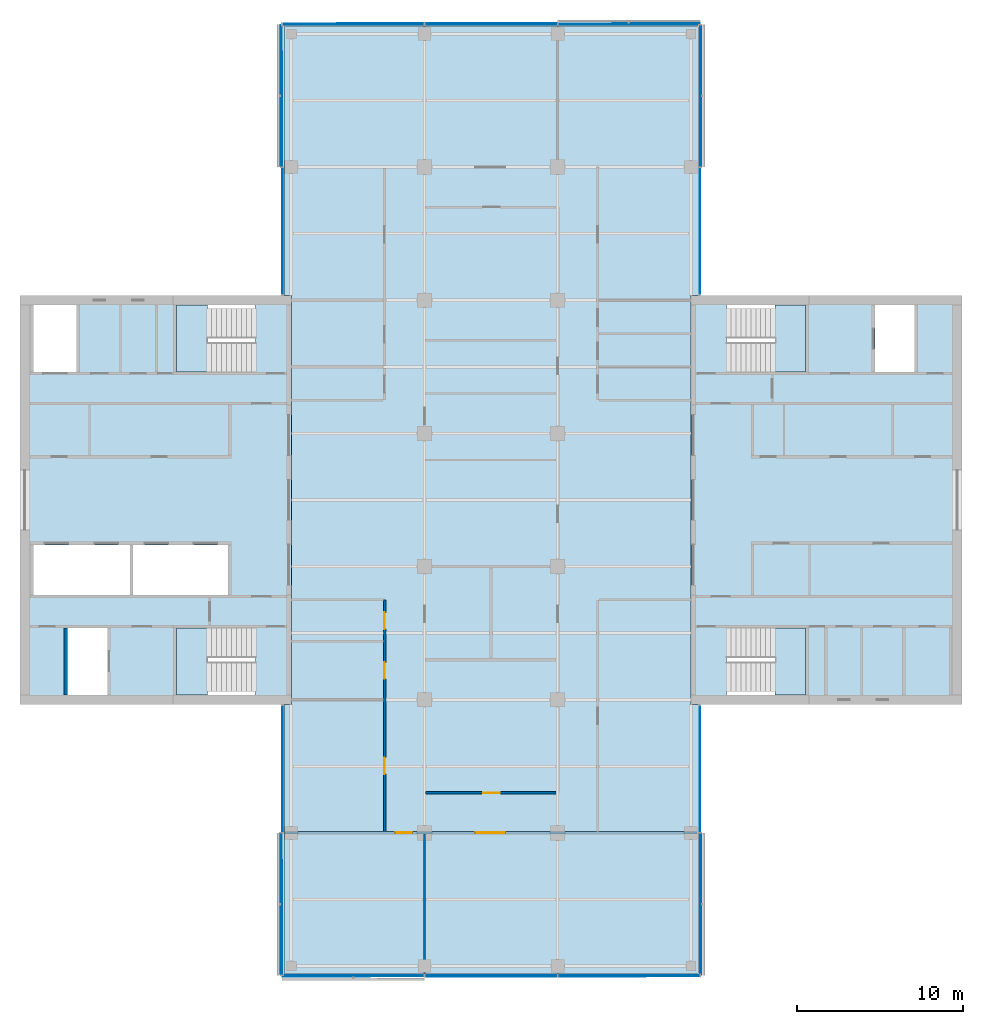
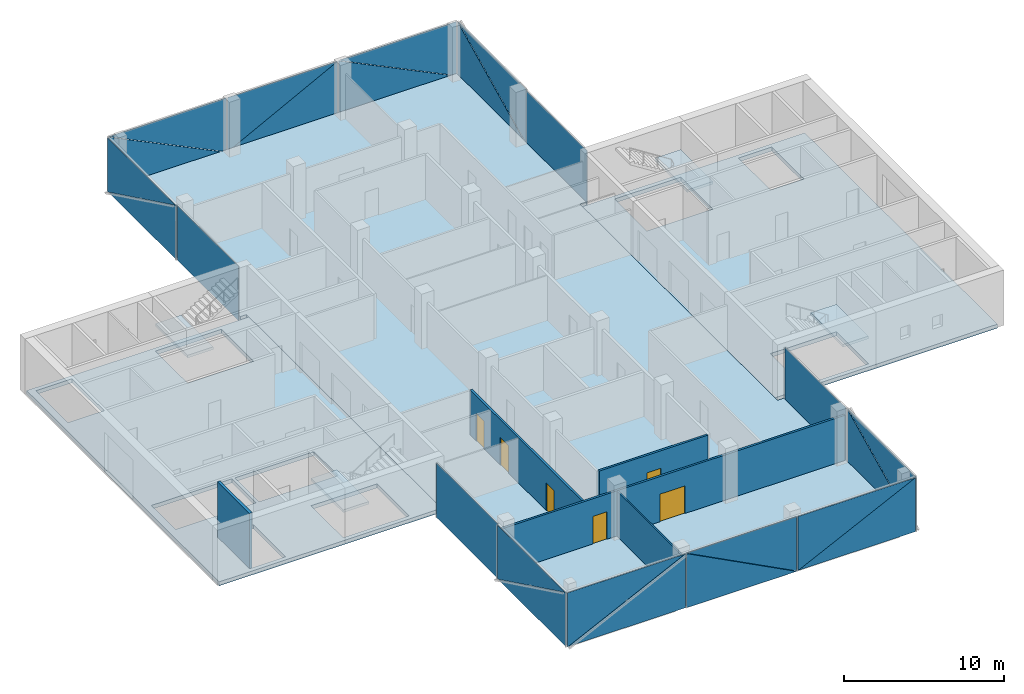
# One storey, part 8 of 15: 24 plates, 7 slabs, 6 doors, 5 walls, 6 openings, 14 elements without a shape of their own.
"""IFC4 building model written with IfcOpenShell, lengths in metres."""

from ifc_helpers import new_model, si_unit, direction, frame, frame_2d, origin, place, context, subcontext, project, spatial, polyline, rectangle, outline, extrude, material, layer, layer_set, type_object, element, fill, aggregate, save


model = new_model("IFC4")

# Units and contexts
model_context = context("Model", 3, precision=1e-05, world=origin(), true_north=direction((0.0, 1.0)))
body_context = subcontext(model_context, "Body", "Model", "MODEL_VIEW")
ifc_project = project(units=[si_unit("LENGTHUNIT", "METRE"), si_unit("AREAUNIT", "SQUARE_METRE"), si_unit("VOLUMEUNIT", "CUBIC_METRE"), si_unit("PLANEANGLEUNIT", "RADIAN"), si_unit("MASSUNIT", "GRAM", prefix="KILO")], contexts=[model_context])

# Site, building, storey
site_placement = place(None, origin())
site = spatial("IfcSite", under=ifc_project, at=site_placement, CompositionType="ELEMENT")
building_placement = place(site_placement, origin())
building = spatial("IfcBuilding", under=site, at=building_placement, Name="Crosswind Convention Tower", CompositionType="ELEMENT")
storey_placement = place(building_placement, frame((0.0, 0.0, 225.10009765625)))
storey = spatial("IfcBuildingStorey", under=building, at=storey_placement, Name="L48", CompositionType="ELEMENT", Elevation=225.10009765625)

# Slabs
ifc_material_1 = material(Name="Concrete C40/50", Category="concrete")
ifc_layer_1 = layer(ifc_material_1, 0.300048828125)
ifc_layer_set_1 = layer_set([ifc_layer_1], Name="Concrete C40/50")
slab_type_1 = type_object("IfcSlabType", Name="Composite floor slab 300", PredefinedType="FLOOR", material=ifc_layer_set_1)
slab_1_placement = place(storey_placement, frame((0.0, 0.0, -0.300048828125)))
element("IfcSlab", 1, at=slab_1_placement, inside=storey, type_object=slab_type_1, Name="Floor slab L48", PredefinedType="FLOOR", context=body_context, shape_type="SweptSolid", body=[
    extrude(outline(polyline([(137.449951171875, 71.550048828125), (137.0, 71.550048828125), (113.0, 71.550048828125), (112.550048828125, 71.550048828125), (112.550048828125, 72.0), (112.550048828125, 87.699951171875), (113.0, 87.699951171875), (113.0, 112.300048828125), (112.550048828125, 112.300048828125), (112.550048828125, 128.0), (112.550048828125, 128.449951171875), (113.0, 128.449951171875), (137.0, 128.449951171875), (137.449951171875, 128.449951171875), (137.449951171875, 128.0), (137.449951171875, 112.300048828125), (137.0, 112.300048828125), (137.0, 87.699951171875), (137.449951171875, 87.699951171875), (137.449951171875, 72.0), (137.449951171875, 71.550048828125)])), origin(), (0.0, 0.0, 1.0), 0.300048828125),
])
ifc_layer_2 = layer(ifc_material_1, 0.300048828125)
ifc_layer_set_2 = layer_set([ifc_layer_2], Name="Concrete C40/50")
slab_type_2 = type_object("IfcSlabType", Name="Concrete core floor slab 300", PredefinedType="FLOOR", material=ifc_layer_set_2)
slab_2_placement = place(storey_placement, frame((0.0, 0.0, -0.300048828125)))
element("IfcSlab", 2, at=slab_2_placement, inside=storey, type_object=slab_type_2, Name="Core floor slab E L48", PredefinedType="FLOOR", context=body_context, shape_type="SweptSolid", body=[
    extrude(outline(polyline([(137.0, 88.0), (153.0, 88.0), (153.0, 112.0), (137.0, 112.0), (137.0, 88.0)]), holes=[polyline([(150.449951171875, 107.699951171875), (150.449951171875, 111.699951171875), (148.050048828125, 111.699951171875), (148.050048828125, 107.699951171875), (150.449951171875, 107.699951171875)]), polyline([(143.89990234375, 107.699951171875), (143.89990234375, 111.699951171875), (139.14990234375, 111.699951171875), (139.14990234375, 107.699951171875), (143.89990234375, 107.699951171875)]), polyline([(143.89990234375, 88.300048828125), (143.89990234375, 92.300048828125), (139.14990234375, 92.300048828125), (139.14990234375, 88.300048828125), (143.89990234375, 88.300048828125)])]), origin(), (0.0, 0.0, 1.0), 0.300048828125),
])
slab_3_placement = place(storey_placement, frame((0.0, 0.0, -0.300048828125)))
element("IfcSlab", 3, at=slab_3_placement, inside=storey, type_object=slab_type_2, Name="Core floor slab W L48", PredefinedType="FLOOR", context=body_context, shape_type="SweptSolid", body=[
    extrude(outline(polyline([(97.0, 88.0), (113.0, 88.0), (113.0, 112.0), (97.0, 112.0), (97.0, 88.0)]), holes=[polyline([(109.199951171875, 94.300048828125), (109.199951171875, 97.300048828125), (103.5, 97.300048828125), (103.5, 94.300048828125), (109.199951171875, 94.300048828125)]), polyline([(103.300048828125, 94.300048828125), (103.300048828125, 97.300048828125), (97.5, 97.300048828125), (97.5, 94.300048828125), (103.300048828125, 94.300048828125)]), polyline([(101.949951171875, 88.300048828125), (101.949951171875, 92.300048828125), (99.550048828125, 92.300048828125), (99.550048828125, 88.300048828125), (101.949951171875, 88.300048828125)]), polyline([(100.10009765625, 107.699951171875), (100.10009765625, 111.699951171875), (97.5, 111.699951171875), (97.5, 107.699951171875), (100.10009765625, 107.699951171875)]), polyline([(110.85009765625, 88.300048828125), (110.85009765625, 92.300048828125), (106.10009765625, 92.300048828125), (106.10009765625, 88.300048828125), (110.85009765625, 88.300048828125)]), polyline([(110.85009765625, 107.699951171875), (110.85009765625, 111.699951171875), (106.10009765625, 111.699951171875), (106.10009765625, 107.699951171875), (110.85009765625, 107.699951171875)])]), origin(), (0.0, 0.0, 1.0), 0.300048828125),
])

# Stair, slab
stair_type = type_object("IfcStairType", Name="Exit stair 1800 wide, 2 flights of 11 risers", PredefinedType="HALF_TURN_STAIR", material=ifc_material_1)
stair_1_placement = place(storey_placement, origin())
stair_1 = element("IfcStair", 4, at=stair_1_placement, inside=storey, type_object=stair_type, Name="Exit stair ST1 L48", ObjectType="ST5", PredefinedType="HALF_TURN_STAIR")
ifc_layer_3 = layer(ifc_material_1, 0.199951171875)
ifc_layer_set_3 = layer_set([ifc_layer_3], Name="Concrete C40/50")
slab_type_3 = type_object("IfcSlabType", Name="Stair landing 200", PredefinedType="LANDING", material=ifc_layer_set_3)
slab_4_placement = place(storey_placement, frame((0.0, 0.0, 1.89990234375)))
slab_4 = element("IfcSlab", 5, at=slab_4_placement, type_object=slab_type_3, Name="ST1 landing 1", PredefinedType="LANDING", context=body_context, shape_type="SweptSolid", body=[
    extrude(outline(polyline([(143.89990234375, 107.699951171875), (143.89990234375, 111.699951171875), (142.050048828125, 111.699951171875), (142.050048828125, 107.699951171875), (143.89990234375, 107.699951171875)])), origin(), (0.0, 0.0, 1.0), 0.199951171875),
])
aggregate(stair_1, [slab_4])

stair_2_placement = place(storey_placement, origin())
stair_2 = element("IfcStair", 6, at=stair_2_placement, inside=storey, type_object=stair_type, Name="Exit stair ST2 L48", ObjectType="ST5", PredefinedType="HALF_TURN_STAIR")
slab_5_placement = place(storey_placement, frame((0.0, 0.0, 1.89990234375)))
slab_5 = element("IfcSlab", 7, at=slab_5_placement, type_object=slab_type_3, Name="ST2 landing 1", PredefinedType="LANDING", context=body_context, shape_type="SweptSolid", body=[
    extrude(outline(polyline([(143.89990234375, 88.300048828125), (143.89990234375, 92.300048828125), (142.050048828125, 92.300048828125), (142.050048828125, 88.300048828125), (143.89990234375, 88.300048828125)])), origin(), (0.0, 0.0, 1.0), 0.199951171875),
])
aggregate(stair_2, [slab_5])

stair_3_placement = place(storey_placement, origin())
stair_3 = element("IfcStair", 8, at=stair_3_placement, inside=storey, type_object=stair_type, Name="Exit stair ST3 L48", ObjectType="ST5", PredefinedType="HALF_TURN_STAIR")
slab_6_placement = place(storey_placement, frame((0.0, 0.0, 1.89990234375)))
slab_6 = element("IfcSlab", 9, at=slab_6_placement, type_object=slab_type_3, Name="ST3 landing 1", PredefinedType="LANDING", context=body_context, shape_type="SweptSolid", body=[
    extrude(outline(polyline([(107.949951171875, 88.300048828125), (107.949951171875, 92.300048828125), (106.10009765625, 92.300048828125), (106.10009765625, 88.300048828125), (107.949951171875, 88.300048828125)])), origin(), (0.0, 0.0, 1.0), 0.199951171875),
])
aggregate(stair_3, [slab_6])

stair_4_placement = place(storey_placement, origin())
stair_4 = element("IfcStair", 10, at=stair_4_placement, inside=storey, type_object=stair_type, Name="Exit stair ST4 L48", ObjectType="ST5", PredefinedType="HALF_TURN_STAIR")
slab_7_placement = place(storey_placement, frame((0.0, 0.0, 1.89990234375)))
slab_7 = element("IfcSlab", 11, at=slab_7_placement, type_object=slab_type_3, Name="ST4 landing 1", PredefinedType="LANDING", context=body_context, shape_type="SweptSolid", body=[
    extrude(outline(polyline([(107.949951171875, 107.699951171875), (107.949951171875, 111.699951171875), (106.10009765625, 111.699951171875), (106.10009765625, 107.699951171875), (107.949951171875, 107.699951171875)])), origin(), (0.0, 0.0, 1.0), 0.199951171875),
])
aggregate(stair_4, [slab_7])

# Curtain wall, plate
ifc_material_2 = material(Name="Aluminium unitised curtain wall", Category="aluminium")
curtain_wall_type_1 = type_object("IfcCurtainWallType", Name="CORE END SLOT WALL 160", PredefinedType="USERDEFINED", material=ifc_material_2)
curtain_wall_1_placement = place(storey_placement, origin())
curtain_wall_1 = element("IfcCurtainWall", 12, at=curtain_wall_1_placement, inside=storey, type_object=curtain_wall_type_1, Name="CW6 L48 N-E.1-1 slot", ObjectType="UNITISED", PredefinedType="USERDEFINED")
ifc_material_3 = material(Name="Laminated insulating glass unit", Category="glass")
ifc_layer_4 = layer(ifc_material_3, 0.02587890625)
ifc_layer_set_4 = layer_set([ifc_layer_4], Name="TRIANGULAR GLASS PANEL 26")
plate_type_1 = type_object("IfcPlateType", Name="TRIANGULAR GLASS PANEL 26", PredefinedType="CURTAIN_PANEL", material=ifc_layer_set_4)
plate_1_placement = place(storey_placement, frame((137.556884765625, 112.35009765625, -0.300048828125), z_axis=(0.999999915205, 0.0, 0.00041181312), x_axis=(0.0, 1.0, 0.0)))
plate_1 = element("IfcPlate", 13, at=plate_1_placement, type_object=plate_type_1, Name="CW6 panel 1.1", PredefinedType="CURTAIN_PANEL", context=body_context, shape_type="SweptSolid", body=[
    extrude(outline(polyline([(0.0, 0.0), (7.599853515625, 0.0), (7.599853515625, 4.149902695641109), (0.0, 4.149902695641109), (0.0, 0.0)])), origin(), (0.0, 0.0, -1.0), 0.02587890625),
])
aggregate(curtain_wall_1, [plate_1])

curtain_wall_2_placement = place(storey_placement, origin())
curtain_wall_2 = element("IfcCurtainWall", 14, at=curtain_wall_2_placement, inside=storey, type_object=curtain_wall_type_1, Name="CW6 L48 N-W.1-2 slot", ObjectType="UNITISED", PredefinedType="USERDEFINED")
plate_2_placement = place(storey_placement, frame((112.443115234375, 119.949951171875, -0.300048828125), z_axis=(-0.999999915205, 0.0, 0.00041181312), x_axis=(0.0, -1.0, 0.0)))
plate_2 = element("IfcPlate", 15, at=plate_2_placement, type_object=plate_type_1, Name="CW6 panel 1.1", PredefinedType="CURTAIN_PANEL", context=body_context, shape_type="SweptSolid", body=[
    extrude(outline(polyline([(0.0, 0.0), (7.599853515625, 0.0), (7.599853515625, 4.149902695641109), (0.0, 4.149902695641109), (0.0, 0.0)])), origin(), (0.0, 0.0, -1.0), 0.02587890625),
])
aggregate(curtain_wall_2, [plate_2])

curtain_wall_3_placement = place(storey_placement, origin())
curtain_wall_3 = element("IfcCurtainWall", 16, at=curtain_wall_3_placement, inside=storey, type_object=curtain_wall_type_1, Name="CW6 L48 S-W.1-1 slot", ObjectType="UNITISED", PredefinedType="USERDEFINED")
plate_3_placement = place(storey_placement, frame((112.443115234375, 87.64990234375, -0.300048828125), z_axis=(-0.999999915205, 0.0, 0.00041181312), x_axis=(0.0, -1.0, 0.0)))
plate_3 = element("IfcPlate", 17, at=plate_3_placement, type_object=plate_type_1, Name="CW6 panel 1.1", PredefinedType="CURTAIN_PANEL", context=body_context, shape_type="SweptSolid", body=[
    extrude(outline(polyline([(0.0, 0.0), (7.599853515625, 0.0), (7.599853515625, 4.149902695641109), (0.0, 4.149902695641109), (0.0, 0.0)])), origin(), (0.0, 0.0, -1.0), 0.02587890625),
])
aggregate(curtain_wall_3, [plate_3])

curtain_wall_4_placement = place(storey_placement, origin())
curtain_wall_4 = element("IfcCurtainWall", 18, at=curtain_wall_4_placement, inside=storey, type_object=curtain_wall_type_1, Name="CW6 L48 S-E.1-2 slot", ObjectType="UNITISED", PredefinedType="USERDEFINED")
plate_4_placement = place(storey_placement, frame((137.556884765625, 80.050048828125, -0.300048828125), z_axis=(0.999999915205, 0.0, 0.00041181312), x_axis=(0.0, 1.0, 0.0)))
plate_4 = element("IfcPlate", 19, at=plate_4_placement, type_object=plate_type_1, Name="CW6 panel 1.1", PredefinedType="CURTAIN_PANEL", context=body_context, shape_type="SweptSolid", body=[
    extrude(outline(polyline([(0.0, 0.0), (7.599853515625, 0.0), (7.599853515625, 4.149902695641109), (0.0, 4.149902695641109), (0.0, 0.0)])), origin(), (0.0, 0.0, -1.0), 0.02587890625),
])
aggregate(curtain_wall_4, [plate_4])

# Curtain wall, plates
curtain_wall_type_2 = type_object("IfcCurtainWallType", Name="OFFICE UNITISED WALL 220", PredefinedType="USERDEFINED", material=ifc_material_2)
curtain_wall_5_placement = place(storey_placement, origin())
curtain_wall_5 = element("IfcCurtainWall", 20, at=curtain_wall_5_placement, inside=storey, type_object=curtain_wall_type_2, Name="CW3 L48 N-E 1", ObjectType="UNITISED", PredefinedType="USERDEFINED")
ifc_layer_5 = layer(ifc_material_3, 0.031982421875)
ifc_layer_set_5 = layer_set([ifc_layer_5], Name="TRIANGULAR GLASS PANEL 32")
plate_type_2 = type_object("IfcPlateType", Name="TRIANGULAR GLASS PANEL 32", PredefinedType="CURTAIN_PANEL", material=ifc_layer_set_5)
plate_5_placement = place(storey_placement, frame((137.5927734375, 128.52490234375, -0.300048828125), z_axis=(0.999999913924, 0.0, 0.000414913129), x_axis=(-0.000414913129, 0.0, 0.999999913924)))
plate_5 = element("IfcPlate", 21, at=plate_5_placement, type_object=plate_type_2, Name="CW3 panel 1.1", PredefinedType="CURTAIN_PANEL", context=body_context, shape_type="SweptSolid", body=[
    extrude(outline(polyline([(0.0, 0.0), (4.118896838915043, 0.0), (0.0, 8.467041015624998), (0.0, 0.0)])), origin(), (0.0, 0.0, -1.0), 0.031982421875),
])
plate_6_placement = place(storey_placement, frame((137.625244140625, 120.034912109375, 3.829833984375), z_axis=(0.99999993676, 0.0, 0.000355639833), x_axis=(0.000355639833, 0.0, -0.99999993676)))
plate_6 = element("IfcPlate", 22, at=plate_6_placement, type_object=plate_type_2, Name="CW3 panel 1.2", PredefinedType="CURTAIN_PANEL", context=body_context, shape_type="SweptSolid", body=[
    extrude(outline(polyline([(0.0, 0.0), (4.1188967448534015, 0.0), (0.0, 8.46728515625), (0.0, 0.0)])), origin(), (0.0, 0.0, -1.0), 0.031982421875),
])
aggregate(curtain_wall_5, [plate_5, plate_6])

curtain_wall_6_placement = place(storey_placement, origin())
curtain_wall_6 = element("IfcCurtainWall", 23, at=curtain_wall_6_placement, inside=storey, type_object=curtain_wall_type_2, Name="CW3 L48 N-TIP 1", ObjectType="UNITISED", PredefinedType="USERDEFINED")
plate_7_placement = place(storey_placement, frame((129.034912109375, 128.5927734375, -0.300048828125), z_axis=(0.0, 0.999999913924, 0.000414913129), x_axis=(0.0, -0.000414913129, 0.999999913924)))
plate_7 = element("IfcPlate", 24, at=plate_7_placement, type_object=plate_type_2, Name="CW3 panel 1.1", PredefinedType="CURTAIN_PANEL", context=body_context, shape_type="SweptSolid", body=[
    extrude(outline(polyline([(0.0, 0.0), (4.118896838915043, 0.0), (0.0, 8.467285156249998), (0.0, 0.0)])), origin(), (0.0, 0.0, -1.0), 0.031982421875),
])
plate_8_placement = place(storey_placement, frame((137.52490234375, 128.625244140625, 3.829833984375), z_axis=(0.0, 0.99999993676, 0.000355639833), x_axis=(0.0, 0.000355639833, -0.99999993676)))
plate_8 = element("IfcPlate", 25, at=plate_8_placement, type_object=plate_type_2, Name="CW3 panel 1.2", PredefinedType="CURTAIN_PANEL", context=body_context, shape_type="SweptSolid", body=[
    extrude(outline(polyline([(0.0, 0.0), (4.1188967448534015, 0.0), (0.0, 8.467041015625), (0.0, 0.0)])), origin(), (0.0, 0.0, -1.0), 0.031982421875),
])
plate_9_placement = place(storey_placement, frame((121.034912109375, 128.591064453125, 3.829833984375), z_axis=(0.0, 0.999999913913, 0.000414937724), x_axis=(1.0, 0.0, 0.0)))
plate_9 = element("IfcPlate", 26, at=plate_9_placement, type_object=plate_type_2, Name="CW3 panel 2.1", PredefinedType="CURTAIN_PANEL", context=body_context, shape_type="SweptSolid", body=[
    extrude(outline(polyline([(0.0, 0.0), (7.908447265625, 0.0), (0.0, 4.118652698311059), (0.0, 0.0)])), origin(), (0.0, 0.0, -1.0), 0.031982421875),
])
plate_10_placement = place(storey_placement, frame((128.965087890625, 128.626708984375, -0.300048828125), z_axis=(0.0, 0.999999936753, 0.000355660914), x_axis=(-1.0, 0.0, 0.0)))
plate_10 = element("IfcPlate", 27, at=plate_10_placement, type_object=plate_type_2, Name="CW3 panel 2.2", PredefinedType="CURTAIN_PANEL", context=body_context, shape_type="SweptSolid", body=[
    extrude(outline(polyline([(0.0, 0.0), (7.908447265625, 0.0), (0.0, 4.118652604243842), (0.0, 0.0)])), origin(), (0.0, 0.0, -1.0), 0.031982421875),
])
plate_11_placement = place(storey_placement, frame((112.47509765625, 128.5927734375, -0.300048828125), z_axis=(0.0, 0.999999913924, 0.000414913129), x_axis=(0.0, -0.000414913129, 0.999999913924)))
plate_11 = element("IfcPlate", 28, at=plate_11_placement, type_object=plate_type_2, Name="CW3 panel 3.1", PredefinedType="CURTAIN_PANEL", context=body_context, shape_type="SweptSolid", body=[
    extrude(outline(polyline([(0.0, 0.0), (4.118896838915043, 0.0), (0.0, 8.467041015624998), (0.0, 0.0)])), origin(), (0.0, 0.0, -1.0), 0.031982421875),
])
plate_12_placement = place(storey_placement, frame((120.965087890625, 128.625244140625, 3.829833984375), z_axis=(0.0, 0.99999993676, 0.000355639833), x_axis=(0.0, 0.000355639833, -0.99999993676)))
plate_12 = element("IfcPlate", 29, at=plate_12_placement, type_object=plate_type_2, Name="CW3 panel 3.2", PredefinedType="CURTAIN_PANEL", context=body_context, shape_type="SweptSolid", body=[
    extrude(outline(polyline([(0.0, 0.0), (4.1188967448534015, 0.0), (0.0, 8.46728515625), (0.0, 0.0)])), origin(), (0.0, 0.0, -1.0), 0.031982421875),
])
aggregate(curtain_wall_6, [plate_7, plate_8, plate_9, plate_10, plate_11, plate_12])

curtain_wall_7_placement = place(storey_placement, origin())
curtain_wall_7 = element("IfcCurtainWall", 30, at=curtain_wall_7_placement, inside=storey, type_object=curtain_wall_type_2, Name="CW3 L48 N-W 1", ObjectType="UNITISED", PredefinedType="USERDEFINED")
plate_13_placement = place(storey_placement, frame((112.4072265625, 120.034912109375, -0.300048828125), z_axis=(-0.999999913924, 0.0, 0.000414913129), x_axis=(0.000414913129, 0.0, 0.999999913924)))
plate_13 = element("IfcPlate", 31, at=plate_13_placement, type_object=plate_type_2, Name="CW3 panel 1.1", PredefinedType="CURTAIN_PANEL", context=body_context, shape_type="SweptSolid", body=[
    extrude(outline(polyline([(0.0, 0.0), (4.118896838915043, 0.0), (0.0, 8.467285156249998), (0.0, 0.0)])), origin(), (0.0, 0.0, -1.0), 0.031982421875),
])
plate_14_placement = place(storey_placement, frame((112.374755859375, 128.52490234375, 3.829833984375), z_axis=(-0.99999993676, 0.0, 0.000355639833), x_axis=(-0.000355639833, 0.0, -0.99999993676)))
plate_14 = element("IfcPlate", 32, at=plate_14_placement, type_object=plate_type_2, Name="CW3 panel 1.2", PredefinedType="CURTAIN_PANEL", context=body_context, shape_type="SweptSolid", body=[
    extrude(outline(polyline([(0.0, 0.0), (4.1188967448534015, 0.0), (0.0, 8.467041015625), (0.0, 0.0)])), origin(), (0.0, 0.0, -1.0), 0.031982421875),
])
aggregate(curtain_wall_7, [plate_13, plate_14])

curtain_wall_8_placement = place(storey_placement, origin())
curtain_wall_8 = element("IfcCurtainWall", 33, at=curtain_wall_8_placement, inside=storey, type_object=curtain_wall_type_2, Name="CW3 L48 S-W 1", ObjectType="UNITISED", PredefinedType="USERDEFINED")
plate_15_placement = place(storey_placement, frame((112.4072265625, 71.47509765625, -0.300048828125), z_axis=(-0.999999913924, 0.0, 0.000414913129), x_axis=(0.000414913129, 0.0, 0.999999913924)))
plate_15 = element("IfcPlate", 34, at=plate_15_placement, type_object=plate_type_2, Name="CW3 panel 1.1", PredefinedType="CURTAIN_PANEL", context=body_context, shape_type="SweptSolid", body=[
    extrude(outline(polyline([(0.0, 0.0), (4.118896838915043, 0.0), (0.0, 8.467041015624998), (0.0, 0.0)])), origin(), (0.0, 0.0, -1.0), 0.031982421875),
])
plate_16_placement = place(storey_placement, frame((112.374755859375, 79.965087890625, 3.829833984375), z_axis=(-0.99999993676, 0.0, 0.000355639833), x_axis=(-0.000355639833, 0.0, -0.99999993676)))
plate_16 = element("IfcPlate", 35, at=plate_16_placement, type_object=plate_type_2, Name="CW3 panel 1.2", PredefinedType="CURTAIN_PANEL", context=body_context, shape_type="SweptSolid", body=[
    extrude(outline(polyline([(0.0, 0.0), (4.1188967448534015, 0.0), (0.0, 8.46728515625), (0.0, 0.0)])), origin(), (0.0, 0.0, -1.0), 0.031982421875),
])
aggregate(curtain_wall_8, [plate_15, plate_16])

curtain_wall_9_placement = place(storey_placement, origin())
curtain_wall_9 = element("IfcCurtainWall", 36, at=curtain_wall_9_placement, inside=storey, type_object=curtain_wall_type_2, Name="CW3 L48 S-TIP 1", ObjectType="UNITISED", PredefinedType="USERDEFINED")
plate_17_placement = place(storey_placement, frame((120.965087890625, 71.4072265625, -0.300048828125), z_axis=(0.0, -0.999999913924, 0.000414913129), x_axis=(0.0, 0.000414913129, 0.999999913924)))
plate_17 = element("IfcPlate", 37, at=plate_17_placement, type_object=plate_type_2, Name="CW3 panel 1.1", PredefinedType="CURTAIN_PANEL", context=body_context, shape_type="SweptSolid", body=[
    extrude(outline(polyline([(0.0, 0.0), (4.118896838915043, 0.0), (0.0, 8.467285156249998), (0.0, 0.0)])), origin(), (0.0, 0.0, -1.0), 0.031982421875),
])
plate_18_placement = place(storey_placement, frame((112.47509765625, 71.374755859375, 3.829833984375), z_axis=(0.0, -0.99999993676, 0.000355639833), x_axis=(0.0, -0.000355639833, -0.99999993676)))
plate_18 = element("IfcPlate", 38, at=plate_18_placement, type_object=plate_type_2, Name="CW3 panel 1.2", PredefinedType="CURTAIN_PANEL", context=body_context, shape_type="SweptSolid", body=[
    extrude(outline(polyline([(0.0, 0.0), (4.1188967448534015, 0.0), (0.0, 8.467041015625), (0.0, 0.0)])), origin(), (0.0, 0.0, -1.0), 0.031982421875),
])
plate_19_placement = place(storey_placement, frame((128.965087890625, 71.408935546875, 3.829833984375), z_axis=(0.0, -0.999999913913, 0.000414937724), x_axis=(-1.0, 0.0, 0.0)))
plate_19 = element("IfcPlate", 39, at=plate_19_placement, type_object=plate_type_2, Name="CW3 panel 2.1", PredefinedType="CURTAIN_PANEL", context=body_context, shape_type="SweptSolid", body=[
    extrude(outline(polyline([(0.0, 0.0), (7.908447265625, 0.0), (0.0, 4.118652698311059), (0.0, 0.0)])), origin(), (0.0, 0.0, -1.0), 0.031982421875),
])
plate_20_placement = place(storey_placement, frame((121.034912109375, 71.373291015625, -0.300048828125), z_axis=(0.0, -0.999999936753, 0.000355660914), x_axis=(1.0, 0.0, 0.0)))
plate_20 = element("IfcPlate", 40, at=plate_20_placement, type_object=plate_type_2, Name="CW3 panel 2.2", PredefinedType="CURTAIN_PANEL", context=body_context, shape_type="SweptSolid", body=[
    extrude(outline(polyline([(0.0, 0.0), (7.908447265625, 0.0), (0.0, 4.118652604243842), (0.0, 0.0)])), origin(), (0.0, 0.0, -1.0), 0.031982421875),
])
plate_21_placement = place(storey_placement, frame((137.52490234375, 71.4072265625, -0.300048828125), z_axis=(0.0, -0.999999913924, 0.000414913129), x_axis=(0.0, 0.000414913129, 0.999999913924)))
plate_21 = element("IfcPlate", 41, at=plate_21_placement, type_object=plate_type_2, Name="CW3 panel 3.1", PredefinedType="CURTAIN_PANEL", context=body_context, shape_type="SweptSolid", body=[
    extrude(outline(polyline([(0.0, 0.0), (4.118896838915043, 0.0), (0.0, 8.467041015624998), (0.0, 0.0)])), origin(), (0.0, 0.0, -1.0), 0.031982421875),
])
plate_22_placement = place(storey_placement, frame((129.034912109375, 71.374755859375, 3.829833984375), z_axis=(0.0, -0.99999993676, 0.000355639833), x_axis=(0.0, -0.000355639833, -0.99999993676)))
plate_22 = element("IfcPlate", 42, at=plate_22_placement, type_object=plate_type_2, Name="CW3 panel 3.2", PredefinedType="CURTAIN_PANEL", context=body_context, shape_type="SweptSolid", body=[
    extrude(outline(polyline([(0.0, 0.0), (4.1188967448534015, 0.0), (0.0, 8.46728515625), (0.0, 0.0)])), origin(), (0.0, 0.0, -1.0), 0.031982421875),
])
aggregate(curtain_wall_9, [plate_17, plate_18, plate_19, plate_20, plate_21, plate_22])

curtain_wall_10_placement = place(storey_placement, origin())
curtain_wall_10 = element("IfcCurtainWall", 43, at=curtain_wall_10_placement, inside=storey, type_object=curtain_wall_type_2, Name="CW3 L48 S-E 1", ObjectType="UNITISED", PredefinedType="USERDEFINED")
plate_23_placement = place(storey_placement, frame((137.5927734375, 79.965087890625, -0.300048828125), z_axis=(0.999999913924, 0.0, 0.000414913129), x_axis=(-0.000414913129, 0.0, 0.999999913924)))
plate_23 = element("IfcPlate", 44, at=plate_23_placement, type_object=plate_type_2, Name="CW3 panel 1.1", PredefinedType="CURTAIN_PANEL", context=body_context, shape_type="SweptSolid", body=[
    extrude(outline(polyline([(0.0, 0.0), (4.118896838915043, 0.0), (0.0, 8.467285156249998), (0.0, 0.0)])), origin(), (0.0, 0.0, -1.0), 0.031982421875),
])
plate_24_placement = place(storey_placement, frame((137.625244140625, 71.47509765625, 3.829833984375), z_axis=(0.99999993676, 0.0, 0.000355639833), x_axis=(0.000355639833, 0.0, -0.99999993676)))
plate_24 = element("IfcPlate", 45, at=plate_24_placement, type_object=plate_type_2, Name="CW3 panel 1.2", PredefinedType="CURTAIN_PANEL", context=body_context, shape_type="SweptSolid", body=[
    extrude(outline(polyline([(0.0, 0.0), (4.1188967448534015, 0.0), (0.0, 8.467041015625), (0.0, 0.0)])), origin(), (0.0, 0.0, -1.0), 0.031982421875),
])
aggregate(curtain_wall_10, [plate_23, plate_24])

# Walls
ifc_material_4 = material(Name="Concrete C50/60", Category="concrete")
ifc_layer_6 = layer(ifc_material_4, 0.199951171875)
ifc_layer_set_6 = layer_set([ifc_layer_6], Name="Concrete C50/60")
wall_type_1 = type_object("IfcWallType", Name="Concrete shaft and stair wall 200", PredefinedType="SHEAR", material=ifc_layer_set_6)
wall_1_placement = place(storey_placement, frame((99.449951171875, 92.300048828125, 0.0), z_axis=(0.0, 0.0, 1.0), x_axis=(0.0, -1.0, 0.0)))
element("IfcWall", 46, at=wall_1_placement, inside=storey, type_object=wall_type_1, Name="Wall PFSE W L48", PredefinedType="SHEAR", context=body_context, shape_type="SweptSolid", body=[
    extrude(rectangle(XDim=4.0, YDim=0.199951171875, at=frame_2d((2.0, 0.0))), origin(), (0.0, 0.0, 1.0), 4.199951171875),
])
ifc_material_5 = material(Name="Plasterboard partition", Category="gypsum")
ifc_layer_7 = layer(ifc_material_5, 0.10009765625)
ifc_layer_set_7 = layer_set([ifc_layer_7], Name="PARTITION 100 METAL STUD")
wall_type_2 = type_object("IfcWallType", Name="PARTITION 100 METAL STUD", PredefinedType="PARTITIONING", material=ifc_layer_set_7)
wall_2_placement = place(storey_placement, frame((121.0, 71.6298828125, 0.0), z_axis=(0.0, 0.0, 1.0), x_axis=(0.0, 1.0, 0.0)))
element("IfcWall", 47, at=wall_2_placement, inside=storey, type_object=wall_type_2, Name="Partition wall WT40", PredefinedType="PARTITIONING", context=body_context, shape_type="SweptSolid", body=[
    extrude(rectangle(XDim=8.295166015625, YDim=0.10009765625, at=frame_2d((4.1474609375, 0.0))), origin(), (0.0, 0.0, 1.0), 3.439697265625),
])

# Wall, openings, doors
ifc_material_6 = material(Name="Fire-board partition with mineral wool", Category="gypsum")
ifc_layer_8 = layer(ifc_material_6, 0.14990234375)
ifc_layer_set_8 = layer_set([ifc_layer_8], Name="TENANCY WALL 150 TWO-HOUR BOARD")
wall_type_3 = type_object("IfcWallType", Name="TENANCY WALL 150 TWO-HOUR BOARD", PredefinedType="PARTITIONING", material=ifc_layer_set_8)
wall_3_placement = place(storey_placement, frame((118.60009765625, 80.074951171875, 0.0), z_axis=(0.0, 0.0, 1.0), x_axis=(0.0, 1.0, 0.0)))
wall_3 = element("IfcWall", 48, at=wall_3_placement, inside=storey, type_object=wall_type_3, Name="Tenancy wall WT41", PredefinedType="PARTITIONING", context=body_context, shape_type="SweptSolid", body=[
    extrude(rectangle(XDim=13.925048828125, YDim=0.14990234375, at=frame_2d((6.96240234375, 0.0))), origin(), (0.0, 0.0, 1.0), 3.439697265625),
])
opening_1_placement = place(wall_3_placement, frame((12.175048828125, 0.0, 0.0)))
opening_1 = element("IfcOpeningElement", 49, at=opening_1_placement, cuts=wall_3, Name="Opening L48-58", PredefinedType="OPENING", context=body_context, shape_type="SweptSolid", body=[
    extrude(rectangle(XDim=1.0, YDim=2.10009765625, at=frame_2d((0.5, 1.050048828125))), frame((0.0, 0.0849609375, 0.0), z_axis=(0.0, -1.0, 0.0), x_axis=(1.0, 0.0, 0.0)), (0.0, 0.0, 1.0), 0.169921875),
])
opening_2_placement = place(wall_3_placement, frame((9.175048828125, 0.0, 0.0)))
opening_2 = element("IfcOpeningElement", 50, at=opening_2_placement, cuts=wall_3, Name="Opening L48-59", PredefinedType="OPENING", context=body_context, shape_type="SweptSolid", body=[
    extrude(rectangle(XDim=1.0, YDim=2.10009765625, at=frame_2d((0.5, 1.050048828125))), frame((0.0, 0.0849609375, 0.0), z_axis=(0.0, -1.0, 0.0), x_axis=(1.0, 0.0, 0.0)), (0.0, 0.0, 1.0), 0.169921875),
])
opening_3_placement = place(wall_3_placement, frame((3.449951171875, 0.0, 0.0)))
opening_3 = element("IfcOpeningElement", 51, at=opening_3_placement, cuts=wall_3, Name="Opening L48-60", PredefinedType="OPENING", context=body_context, shape_type="SweptSolid", body=[
    extrude(rectangle(XDim=1.0, YDim=2.10009765625, at=frame_2d((0.5, 1.050048828125))), frame((0.0, 0.0849609375, 0.0), z_axis=(0.0, -1.0, 0.0), x_axis=(1.0, 0.0, 0.0)), (0.0, 0.0, 1.0), 0.169921875),
])
ifc_material_7 = material(Name="Timber fire door", Category="wood")
door_type_1 = type_object("IfcDoorType", Name="TENANCY ENTRANCE DOOR 1000X2100 FD30S", OperationType="NOTDEFINED", PredefinedType="DOOR", material=ifc_material_7)
door_1_placement = place(opening_1_placement, origin())
door_1 = element("IfcDoor", 52, at=door_1_placement, inside=storey, type_object=door_type_1, Name="Door L48-58", ObjectType="D41", OperationType="SINGLE_SWING_RIGHT", OverallHeight=2.10009765625, OverallWidth=1.0, PredefinedType="DOOR", context=body_context, shape_type="SweptSolid", body=[
    extrude(rectangle(XDim=1.0, YDim=2.10009765625, at=frame_2d((0.5, 1.050048828125))), frame((0.0, 0.02490234375, 0.0), z_axis=(0.0, -1.0, 0.0), x_axis=(1.0, 0.0, 0.0)), (0.0, 0.0, 1.0), 0.050048828125),
])
fill(opening_1, door_1)
door_2_placement = place(opening_2_placement, origin())
door_2 = element("IfcDoor", 53, at=door_2_placement, inside=storey, type_object=door_type_1, Name="Door L48-59", ObjectType="D41", OperationType="SINGLE_SWING_RIGHT", OverallHeight=2.10009765625, OverallWidth=1.0, PredefinedType="DOOR", context=body_context, shape_type="SweptSolid", body=[
    extrude(rectangle(XDim=1.0, YDim=2.10009765625, at=frame_2d((0.5, 1.050048828125))), frame((0.0, 0.02490234375, 0.0), z_axis=(0.0, -1.0, 0.0), x_axis=(1.0, 0.0, 0.0)), (0.0, 0.0, 1.0), 0.050048828125),
])
fill(opening_2, door_2)
door_3_placement = place(opening_3_placement, origin())
door_3 = element("IfcDoor", 54, at=door_3_placement, inside=storey, type_object=door_type_1, Name="Door L48-60", ObjectType="D41", OperationType="SINGLE_SWING_RIGHT", OverallHeight=2.10009765625, OverallWidth=1.0, PredefinedType="DOOR", context=body_context, shape_type="SweptSolid", body=[
    extrude(rectangle(XDim=1.0, YDim=2.10009765625, at=frame_2d((0.5, 1.050048828125))), frame((0.0, 0.02490234375, 0.0), z_axis=(0.0, -1.0, 0.0), x_axis=(1.0, 0.0, 0.0)), (0.0, 0.0, 1.0), 0.050048828125),
])
fill(opening_3, door_3)

wall_4_placement = place(storey_placement, frame((112.6298828125, 80.0, 0.0), z_axis=(0.0, 0.0, 1.0), x_axis=(1.0, 0.0, 0.0)))
wall_4 = element("IfcWall", 55, at=wall_4_placement, inside=storey, type_object=wall_type_3, Name="Tenancy wall WT41", PredefinedType="PARTITIONING", context=body_context, shape_type="SweptSolid", body=[
    extrude(rectangle(XDim=24.740234375, YDim=0.14990234375, at=frame_2d((12.3701171875, 0.0))), origin(), (0.0, 0.0, 1.0), 3.439697265625),
])
opening_4_placement = place(wall_4_placement, frame((6.6201171875, 0.0, 0.0)))
opening_4 = element("IfcOpeningElement", 56, at=opening_4_placement, cuts=wall_4, Name="Opening L48-62", PredefinedType="OPENING", context=body_context, shape_type="SweptSolid", body=[
    extrude(rectangle(XDim=1.0, YDim=2.10009765625, at=frame_2d((0.5, 1.050048828125))), frame((0.0, 0.0849609375, 0.0), z_axis=(0.0, -1.0, 0.0), x_axis=(1.0, 0.0, 0.0)), (0.0, 0.0, 1.0), 0.169921875),
])
opening_5_placement = place(wall_4_placement, frame((11.419921875, 0.0, 0.0)))
opening_5 = element("IfcOpeningElement", 57, at=opening_5_placement, cuts=wall_4, Name="Opening L48-63", PredefinedType="OPENING", context=body_context, shape_type="SweptSolid", body=[
    extrude(rectangle(XDim=1.800048828125, YDim=2.10009765625, at=frame_2d((0.89990234375, 1.050048828125))), frame((0.0, 0.0849609375, 0.0), z_axis=(0.0, -1.0, 0.0), x_axis=(1.0, 0.0, 0.0)), (0.0, 0.0, 1.0), 0.169921875),
])
door_4_placement = place(opening_4_placement, frame((1.0, 0.0, 0.0), z_axis=(0.0, 0.0, 1.0), x_axis=(-1.0, 0.0, 0.0)))
door_4 = element("IfcDoor", 58, at=door_4_placement, inside=storey, type_object=door_type_1, Name="Door L48-62", ObjectType="D41", OperationType="SINGLE_SWING_LEFT", OverallHeight=2.10009765625, OverallWidth=1.0, PredefinedType="DOOR", context=body_context, shape_type="SweptSolid", body=[
    extrude(rectangle(XDim=1.0, YDim=2.10009765625, at=frame_2d((0.5, 1.050048828125))), frame((0.0, 0.02490234375, 0.0), z_axis=(0.0, -1.0, 0.0), x_axis=(1.0, 0.0, 0.0)), (0.0, 0.0, 1.0), 0.050048828125),
])
fill(opening_4, door_4)
door_type_2 = type_object("IfcDoorType", Name="TENANCY ENTRANCE DOUBLE DOOR 1800X2100 FD30S", OperationType="DOUBLE_DOOR_SINGLE_SWING", PredefinedType="DOOR", material=ifc_material_7)
door_5_placement = place(opening_5_placement, frame((1.800048828125, 0.0, 0.0), z_axis=(0.0, 0.0, 1.0), x_axis=(-1.0, 0.0, 0.0)))
door_5 = element("IfcDoor", 59, at=door_5_placement, inside=storey, type_object=door_type_2, Name="Door L48-63", ObjectType="D42", OperationType="DOUBLE_DOOR_SINGLE_SWING", OverallHeight=2.10009765625, OverallWidth=1.800048828125, PredefinedType="DOOR", context=body_context, shape_type="SweptSolid", body=[
    extrude(rectangle(XDim=1.800048828125, YDim=2.10009765625, at=frame_2d((0.89990234375, 1.050048828125))), frame((0.0, 0.02490234375, 0.0), z_axis=(0.0, -1.0, 0.0), x_axis=(1.0, 0.0, 0.0)), (0.0, 0.0, 1.0), 0.050048828125),
])
fill(opening_5, door_5)

# Wall, opening, door
wall_5_placement = place(storey_placement, frame((121.074951171875, 82.39990234375, 0.0), z_axis=(0.0, 0.0, 1.0), x_axis=(1.0, 0.0, 0.0)))
wall_5 = element("IfcWall", 60, at=wall_5_placement, inside=storey, type_object=wall_type_3, Name="Tenancy wall WT41", PredefinedType="PARTITIONING", context=body_context, shape_type="SweptSolid", body=[
    extrude(rectangle(XDim=7.824951171875, YDim=0.14990234375, at=frame_2d((3.91259765625, 0.0))), origin(), (0.0, 0.0, 1.0), 3.439697265625),
])
opening_6_placement = place(wall_5_placement, frame((3.449951171875, 0.0, 0.0)))
opening_6 = element("IfcOpeningElement", 61, at=opening_6_placement, cuts=wall_5, Name="Opening L48-64", PredefinedType="OPENING", context=body_context, shape_type="SweptSolid", body=[
    extrude(rectangle(XDim=1.0, YDim=2.10009765625, at=frame_2d((0.5, 1.050048828125))), frame((0.0, 0.0849609375, 0.0), z_axis=(0.0, -1.0, 0.0), x_axis=(1.0, 0.0, 0.0)), (0.0, 0.0, 1.0), 0.169921875),
])
door_6_placement = place(opening_6_placement, origin())
door_6 = element("IfcDoor", 62, at=door_6_placement, inside=storey, type_object=door_type_1, Name="Door L48-64", ObjectType="D41", OperationType="SINGLE_SWING_RIGHT", OverallHeight=2.10009765625, OverallWidth=1.0, PredefinedType="DOOR", context=body_context, shape_type="SweptSolid", body=[
    extrude(rectangle(XDim=1.0, YDim=2.10009765625, at=frame_2d((0.5, 1.050048828125))), frame((0.0, 0.02490234375, 0.0), z_axis=(0.0, -1.0, 0.0), x_axis=(1.0, 0.0, 0.0)), (0.0, 0.0, 1.0), 0.050048828125),
])
fill(opening_6, door_6)

save(model, "model.ifc")
